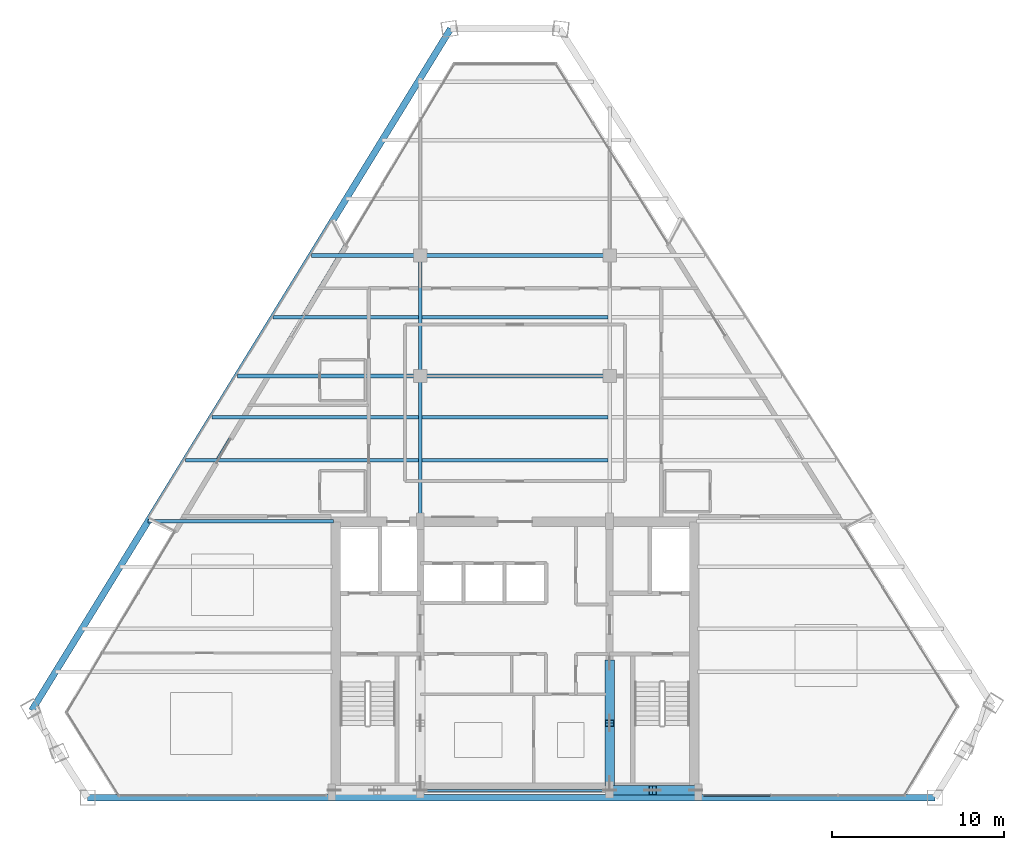
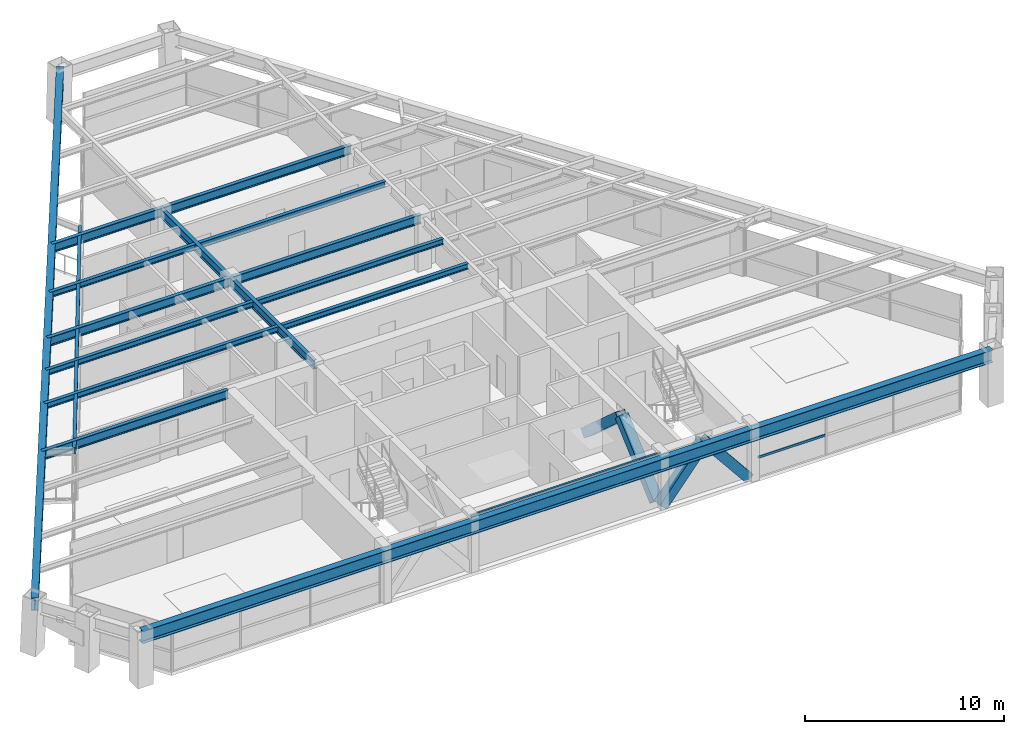
# One storey, part 3 of 12: 17 beams, 5 members, 1 element without a shape of its own.
"""IFC4 building model written with IfcOpenShell, lengths in metres."""

from ifc_helpers import new_model, si_unit, direction, frame, origin, origin_2d, place, context, subcontext, project, spatial, rectangle, hollow_rectangle, i_section, extrude, source, transform, mapped, material, material_profile, profile_set, type_object, type_shapes, element, aggregate, save


model = new_model("IFC4")

# Units and contexts
model_context = context("Model", 3, precision=1e-05, world=origin(), true_north=direction((0.0, 1.0)))
body_context = subcontext(model_context, "Body", "Model", "MODEL_VIEW")
ifc_project = project(units=[si_unit("LENGTHUNIT", "METRE"), si_unit("AREAUNIT", "SQUARE_METRE"), si_unit("VOLUMEUNIT", "CUBIC_METRE"), si_unit("PLANEANGLEUNIT", "RADIAN"), si_unit("MASSUNIT", "GRAM", prefix="KILO")], contexts=[model_context])

# Site, building, storey
site_placement = place(None, origin())
site = spatial("IfcSite", under=ifc_project, at=site_placement, CompositionType="ELEMENT")
building_placement = place(site_placement, origin())
building = spatial("IfcBuilding", under=site, at=building_placement, Name="Varnakhor Terracotta Tower", CompositionType="ELEMENT")
storey_placement = place(building_placement, frame((0.0, 0.0, 223.449951171875)))
storey = spatial("IfcBuildingStorey", under=building, at=storey_placement, Name="L57", CompositionType="ELEMENT", Elevation=223.449951171875)

# Beams
ifc_material_1 = material(Name="Steel S355", Category="steel")
ifc_material_profile_1 = material_profile(ifc_material_1, i_section(OverallWidth=0.1201171875, OverallDepth=0.239990234375, WebThickness=0.006103515625, FlangeThickness=0.009765625, FilletRadius=0.01806640625, at=origin_2d()), Name="IPE240")
ifc_profile_set_1 = profile_set([ifc_material_profile_1], Name="Steel S355")
beam_type_1 = type_object("IfcBeamType", Name="LNT-IPE240", PredefinedType="LINTEL", material=ifc_profile_set_1)
shared_shape_1 = source(origin(), body_context, "Body", "SweptSolid", [
    extrude(i_section(OverallWidth=0.1201171875, OverallDepth=0.239990234375, WebThickness=0.006103515625, FlangeThickness=0.009765625, FilletRadius=0.01806640625, at=origin_2d()), origin(), (0.0, 0.0, 1.0), 11.0),
])
type_shapes(beam_type_1, [shared_shape_1])
beam_1_placement = place(storey_placement, frame((-5.5, 0.419921875, 3.1201171875), z_axis=(1.0, 0.0, 0.0), x_axis=(0.0, 1.0, 0.0)))
element("IfcBeam", 1, at=beam_1_placement, inside=storey, type_object=beam_type_1, Name="L57 Core South Coupling Lintel", PredefinedType="LINTEL", context=body_context, shape_type="MappedRepresentation", body=[
    mapped(shared_shape_1, transform((0.0, 0.0, 0.0), scale=1.0)),
])
ifc_material_profile_2 = material_profile(ifc_material_1, i_section(OverallWidth=0.214111328125, OverallDepth=0.549072265625, WebThickness=0.014892578125, FlangeThickness=0.02392578125, FilletRadius=0.01806640625, at=origin_2d()), Name="W21X93")
ifc_profile_set_2 = profile_set([ifc_material_profile_2], Name="Steel S355")
beam_type_2 = type_object("IfcBeamType", Name="BM-W21X93", PredefinedType="BEAM", material=ifc_profile_set_2)
shared_shape_2 = source(origin(), body_context, "Body", "SweptSolid", [
    extrude(i_section(OverallWidth=0.214111328125, OverallDepth=0.549072265625, WebThickness=0.014892578125, FlangeThickness=0.02392578125, FilletRadius=0.01806640625, at=origin_2d()), origin(), (0.0, 0.0, 1.0), 8.449951171875),
])
type_shapes(beam_type_2, [shared_shape_2])
beam_2_placement = place(storey_placement, frame((-5.5, 16.050048828125, 2.965576171875), z_axis=(0.0, 1.0, 0.0), x_axis=(-1.0, 0.0, 0.0)))
element("IfcBeam", 2, at=beam_2_placement, inside=storey, type_object=beam_type_2, Name="L57 Primary Girder NS1-W", PredefinedType="BEAM", context=body_context, shape_type="MappedRepresentation", body=[
    mapped(shared_shape_2, transform((0.0, 0.0, 0.0), scale=1.0)),
])
shared_shape_3 = source(origin(), body_context, "Body", "SweptSolid", [
    extrude(i_section(OverallWidth=0.214111328125, OverallDepth=0.549072265625, WebThickness=0.014892578125, FlangeThickness=0.02392578125, FilletRadius=0.01806640625, at=origin_2d()), origin(), (0.0, 0.0, 1.0), 7.0),
])
beam_3_placement = place(storey_placement, frame((-5.5, 24.5, 2.965576171875), z_axis=(0.0, 1.0, 0.0), x_axis=(-1.0, 0.0, 0.0)))
element("IfcBeam", 3, at=beam_3_placement, inside=storey, type_object=beam_type_2, Name="L57 Primary Girder NS2-W", PredefinedType="BEAM", context=body_context, shape_type="MappedRepresentation", body=[
    mapped(shared_shape_3, transform((0.0, 0.0, 0.0), scale=1.0)),
])
shared_shape_4 = source(origin(), body_context, "Body", "SweptSolid", [
    extrude(i_section(OverallWidth=0.214111328125, OverallDepth=0.549072265625, WebThickness=0.014892578125, FlangeThickness=0.02392578125, FilletRadius=0.01806640625, at=origin_2d()), origin(), (0.0, 0.0, 1.0), 11.0),
])
for number, where, z_axis, x_axis, name in (
    (4, (-5.5, 24.5, 2.965576171875), (1.0, 0.0, 0.0), (0.0, 1.0, 0.0), "L57 Primary Girder EW2-2"),
    (5, (-5.5, 31.5, 2.965576171875), (1.0, 0.0, 0.0), (0.0, 1.0, 0.0), "L57 Primary Girder EW3-2"),
):
    element("IfcBeam", number, at=place(storey_placement, frame(where, z_axis=z_axis, x_axis=x_axis)), inside=storey, type_object=beam_type_2, Name=name, PredefinedType="BEAM", context=body_context, shape_type="MappedRepresentation", body=[
        mapped(shared_shape_4, transform((0.0, 0.0, 0.0), scale=1.0)),
    ])
ifc_material_profile_3 = material_profile(ifc_material_1, i_section(OverallWidth=0.202880859375, OverallDepth=0.346923828125, WebThickness=0.0078125, FlangeThickness=0.013427734375, FilletRadius=0.01806640625, at=origin_2d()), Name="W14X43")
ifc_profile_set_3 = profile_set([ifc_material_profile_3], Name="Steel S355")
beam_type_3 = type_object("IfcBeamType", Name="JST-W14X43", PredefinedType="JOIST", material=ifc_profile_set_3)
shared_shape_5 = source(origin(), body_context, "Body", "SweptSolid", [
    extrude(i_section(OverallWidth=0.202880859375, OverallDepth=0.346923828125, WebThickness=0.0078125, FlangeThickness=0.013427734375, FilletRadius=0.01806640625, at=origin_2d()), origin(), (0.0, 0.0, 1.0), 10.7939453125),
])
for number, where, z_axis, x_axis, name in (
    (6, (-5.39697265625, 19.60009765625, 3.066650390625), (1.0, 0.0, 0.0), (0.0, 1.0, 0.0), "L57 Composite Floor Joist 4-2"),
    (7, (-5.39697265625, 22.10009765625, 3.066650390625), (1.0, 0.0, 0.0), (0.0, 1.0, 0.0), "L57 Composite Floor Joist 5-2"),
    (8, (-5.39697265625, 27.89990234375, 3.066650390625), (1.0, 0.0, 0.0), (0.0, 1.0, 0.0), "L57 Composite Floor Joist 6-2"),
):
    element("IfcBeam", number, at=place(storey_placement, frame(where, z_axis=z_axis, x_axis=x_axis)), inside=storey, type_object=beam_type_3, Name=name, PredefinedType="JOIST", context=body_context, shape_type="MappedRepresentation", body=[
        mapped(shared_shape_5, transform((0.0, 0.0, 0.0), scale=1.0)),
    ])

# Members
ifc_material_profile_4 = material_profile(ifc_material_1, hollow_rectangle(XDim=0.550048828125, YDim=0.550048828125, WallThickness=0.034912109375, at=origin_2d()), Name="HSS550X550X35")
ifc_profile_set_4 = profile_set([ifc_material_profile_4], Name="Steel S355")
member_type_1 = type_object("IfcMemberType", Name="MBR-MEGA-550", PredefinedType="BRACE", material=ifc_profile_set_4)
shared_shape_6 = source(origin(), body_context, "Body", "SweptSolid", [
    extrude(hollow_rectangle(XDim=0.550048828125, YDim=0.550048828125, WallThickness=0.034912109375, at=origin_2d()), origin(), (0.0, 0.0, 1.0), 3.974853515625),
])
for number, where, z_axis, x_axis, name in (
    (9, (5.5, 0.419921875, 0.0), (0.628970263838, 0.0, 0.777429358339), (0.0, 1.0, 0.0), "L57 Core Coupled Brace CSEA"),
    (10, (10.5, 0.419921875, 0.0), (-0.628970263838, 0.0, 0.777429358339), (0.0, -1.0, 0.0), "L57 Core Coupled Brace CSEB"),
):
    element("IfcMember", number, at=place(storey_placement, frame(where, z_axis=z_axis, x_axis=x_axis)), inside=storey, type_object=member_type_1, Name=name, PredefinedType="BRACE", context=body_context, shape_type="MappedRepresentation", body=[
        mapped(shared_shape_6, transform((0.0, 0.0, 0.0), scale=1.0)),
    ])
shared_shape_7 = source(origin(), body_context, "Body", "SweptSolid", [
    extrude(hollow_rectangle(XDim=0.550048828125, YDim=0.550048828125, WallThickness=0.034912109375, at=origin_2d()), origin(), (0.0, 0.0, 1.0), 4.650146484375),
])
for number, where, z_axis, x_axis, name in (
    (11, (5.5, 0.85009765625, 0.0), (0.0, 0.74726736397, 0.664523503532), (-1.0, 0.0, 0.0), "L57 Core Coupled Brace CWEA"),
    (12, (5.5, 7.800048828125, 0.0), (0.0, -0.74729054724, 0.664497432655), (1.0, 0.0, 0.0), "L57 Core Coupled Brace CWEB"),
):
    element("IfcMember", number, at=place(storey_placement, frame(where, z_axis=z_axis, x_axis=x_axis)), inside=storey, type_object=member_type_1, Name=name, PredefinedType="BRACE", context=body_context, shape_type="MappedRepresentation", body=[
        mapped(shared_shape_7, transform((0.0, 0.0, 0.0), scale=1.0)),
    ])

# Beams
ifc_material_profile_5 = material_profile(ifc_material_1, i_section(OverallWidth=0.381103515625, OverallDepth=0.77294921875, WebThickness=0.01708984375, FlangeThickness=0.027099609375, FilletRadius=0.01806640625, at=origin_2d()), Name="W30X173")
ifc_profile_set_5 = profile_set([ifc_material_profile_5], Name="Steel S355")
beam_type_4 = type_object("IfcBeamType", Name="BM-W30X173", PredefinedType="BEAM", material=ifc_profile_set_5)
shared_shape_8 = source(origin(), body_context, "Body", "SweptSolid", [
    extrude(i_section(OverallWidth=0.381103515625, OverallDepth=0.77294921875, WebThickness=0.01708984375, FlangeThickness=0.027099609375, FilletRadius=0.01806640625, at=origin_2d()), origin(), (0.0, 0.0, 1.0), 49.253662109375),
])
beam_4_placement = place(storey_placement, frame((-24.8447265625, 0.0, 2.853515625), z_axis=(1.0, 0.0, 0.0), x_axis=(0.0, 1.0, 0.0)))
element("IfcBeam", 13, at=beam_4_placement, inside=storey, type_object=beam_type_4, Name="L57 Perimeter Spandrel 1", PredefinedType="BEAM", context=body_context, shape_type="MappedRepresentation", body=[
    mapped(shared_shape_8, transform((0.0, 0.0, 0.0), scale=1.0)),
])
shared_shape_9 = source(origin(), body_context, "Body", "SweptSolid", [
    extrude(i_section(OverallWidth=0.381103515625, OverallDepth=0.77294921875, WebThickness=0.01708984375, FlangeThickness=0.027099609375, FilletRadius=0.01806640625, at=origin_2d()), origin(), (0.0, 0.0, 1.0), 46.502685546875),
])
beam_5_placement = place(storey_placement, frame((-3.738525390625, 44.678955078125, 2.853515625), z_axis=(-0.52352874981, -0.852008009424, 0.0), x_axis=(0.852008009424, -0.52352874981, 0.0)))
element("IfcBeam", 14, at=beam_5_placement, inside=storey, type_object=beam_type_4, Name="L57 Perimeter Spandrel 6", PredefinedType="BEAM", context=body_context, shape_type="MappedRepresentation", body=[
    mapped(shared_shape_9, transform((0.0, 0.0, 0.0), scale=1.0)),
])
ifc_material_profile_6 = material_profile(ifc_material_1, i_section(OverallWidth=0.179931640625, OverallDepth=0.39990234375, WebThickness=0.008544921875, FlangeThickness=0.013427734375, FilletRadius=0.01806640625, at=origin_2d()), Name="IPE400")
ifc_profile_set_6 = profile_set([ifc_material_profile_6], Name="Steel S355")
beam_type_5 = type_object("IfcBeamType", Name="JST-IPE400", PredefinedType="JOIST", material=ifc_profile_set_6)
shared_shape_10 = source(origin(), body_context, "Body", "SweptSolid", [
    extrude(i_section(OverallWidth=0.179931640625, OverallDepth=0.39990234375, WebThickness=0.008544921875, FlangeThickness=0.013427734375, FilletRadius=0.01806640625, at=origin_2d()), origin(), (0.0, 0.0, 1.0), 19.416748046875),
])
beam_6_placement = place(storey_placement, frame((-9.841552734375, 32.1328125, 3.0400390625), z_axis=(-0.511962137883, -0.859008014733, 0.0), x_axis=(0.859008014733, -0.511962137883, 0.0)))
element("IfcBeam", 15, at=beam_6_placement, inside=storey, type_object=beam_type_5, Name="L57 Loggia Edge Beam 2", PredefinedType="JOIST", context=body_context, shape_type="MappedRepresentation", body=[
    mapped(shared_shape_10, transform((0.0, 0.0, 0.0), scale=1.0)),
])
shared_shape_11 = source(origin(), body_context, "Body", "SweptSolid", [
    extrude(i_section(OverallWidth=0.214111328125, OverallDepth=0.549072265625, WebThickness=0.014892578125, FlangeThickness=0.02392578125, FilletRadius=0.01806640625, at=origin_2d()), origin(), (0.0, 0.0, 1.0), 10.780029296875),
])
beam_7_placement = place(storey_placement, frame((-21.330078125, 16.050048828125, 2.965576171875), z_axis=(1.0, 0.0, 0.0), x_axis=(0.0, 1.0, 0.0)))
element("IfcBeam", 16, at=beam_7_placement, inside=storey, type_object=beam_type_2, Name="L57 Wing Girder W", PredefinedType="BEAM", context=body_context, shape_type="MappedRepresentation", body=[
    mapped(shared_shape_11, transform((0.0, 0.0, 0.0), scale=1.0)),
])
shared_shape_12 = source(origin(), body_context, "Body", "SweptSolid", [
    extrude(i_section(OverallWidth=0.214111328125, OverallDepth=0.549072265625, WebThickness=0.014892578125, FlangeThickness=0.02392578125, FilletRadius=0.01806640625, at=origin_2d()), origin(), (0.0, 0.0, 1.0), 10.637939453125),
])
beam_8_placement = place(storey_placement, frame((-16.137939453125, 24.5, 2.965576171875), z_axis=(1.0, 0.0, 0.0), x_axis=(0.0, 1.0, 0.0)))
element("IfcBeam", 17, at=beam_8_placement, inside=storey, type_object=beam_type_2, Name="L57 Primary Girder EW2-1", PredefinedType="BEAM", context=body_context, shape_type="MappedRepresentation", body=[
    mapped(shared_shape_12, transform((0.0, 0.0, 0.0), scale=1.0)),
])
shared_shape_13 = source(origin(), body_context, "Body", "SweptSolid", [
    extrude(i_section(OverallWidth=0.214111328125, OverallDepth=0.549072265625, WebThickness=0.014892578125, FlangeThickness=0.02392578125, FilletRadius=0.01806640625, at=origin_2d()), origin(), (0.0, 0.0, 1.0), 6.336669921875),
])
beam_9_placement = place(storey_placement, frame((-11.836669921875, 31.5, 2.965576171875), z_axis=(1.0, 0.0, 0.0), x_axis=(0.0, 1.0, 0.0)))
element("IfcBeam", 18, at=beam_9_placement, inside=storey, type_object=beam_type_2, Name="L57 Primary Girder EW3-1", PredefinedType="BEAM", context=body_context, shape_type="MappedRepresentation", body=[
    mapped(shared_shape_13, transform((0.0, 0.0, 0.0), scale=1.0)),
])
shared_shape_14 = source(origin(), body_context, "Body", "SweptSolid", [
    extrude(i_section(OverallWidth=0.202880859375, OverallDepth=0.346923828125, WebThickness=0.0078125, FlangeThickness=0.013427734375, FilletRadius=0.01806640625, at=origin_2d()), origin(), (0.0, 0.0, 1.0), 13.545654296875),
])
beam_10_placement = place(storey_placement, frame((-19.148681640625, 19.60009765625, 3.066650390625), z_axis=(1.0, 0.0, 0.0), x_axis=(0.0, 1.0, 0.0)))
element("IfcBeam", 19, at=beam_10_placement, inside=storey, type_object=beam_type_3, Name="L57 Composite Floor Joist 4-1", PredefinedType="JOIST", context=body_context, shape_type="MappedRepresentation", body=[
    mapped(shared_shape_14, transform((0.0, 0.0, 0.0), scale=1.0)),
])
shared_shape_15 = source(origin(), body_context, "Body", "SweptSolid", [
    extrude(i_section(OverallWidth=0.202880859375, OverallDepth=0.346923828125, WebThickness=0.0078125, FlangeThickness=0.013427734375, FilletRadius=0.01806640625, at=origin_2d()), origin(), (0.0, 0.0, 1.0), 12.009521484375),
])
beam_11_placement = place(storey_placement, frame((-17.612548828125, 22.10009765625, 3.066650390625), z_axis=(1.0, 0.0, 0.0), x_axis=(0.0, 1.0, 0.0)))
element("IfcBeam", 20, at=beam_11_placement, inside=storey, type_object=beam_type_3, Name="L57 Composite Floor Joist 5-1", PredefinedType="JOIST", context=body_context, shape_type="MappedRepresentation", body=[
    mapped(shared_shape_15, transform((0.0, 0.0, 0.0), scale=1.0)),
])
shared_shape_16 = source(origin(), body_context, "Body", "SweptSolid", [
    extrude(i_section(OverallWidth=0.202880859375, OverallDepth=0.346923828125, WebThickness=0.0078125, FlangeThickness=0.013427734375, FilletRadius=0.01806640625, at=origin_2d()), origin(), (0.0, 0.0, 1.0), 8.445556640625),
])
beam_12_placement = place(storey_placement, frame((-14.048583984375, 27.89990234375, 3.066650390625), z_axis=(1.0, 0.0, 0.0), x_axis=(0.0, 1.0, 0.0)))
element("IfcBeam", 21, at=beam_12_placement, inside=storey, type_object=beam_type_3, Name="L57 Composite Floor Joist 6-1", PredefinedType="JOIST", context=body_context, shape_type="MappedRepresentation", body=[
    mapped(shared_shape_16, transform((0.0, 0.0, 0.0), scale=1.0)),
])

# Curtain wall, member
ifc_material_2 = material(Name="Anodised Aluminium Curtain Wall System", Category="aluminium")
curtain_wall_type = type_object("IfcCurtainWallType", Name="CW-SYS-HOTEL-LOGGIA", PredefinedType="NOTDEFINED", material=ifc_material_2)
curtain_wall_placement = place(storey_placement, origin())
curtain_wall = element("IfcCurtainWall", 22, at=curtain_wall_placement, inside=storey, type_object=curtain_wall_type, Name="L57 South Wing Curtain Wall SSE", PredefinedType="NOTDEFINED")
ifc_material_3 = material(Name="Anodised Aluminium 6063-T6", Category="aluminium")
ifc_material_profile_7 = material_profile(ifc_material_3, rectangle(XDim=0.06494140625, YDim=0.14501953125, at=origin_2d()), Name="ALU TRANSOM 65x145")
ifc_profile_set_7 = profile_set([ifc_material_profile_7], Name="Anodised Aluminium 6063-T6")
member_type_2 = type_object("IfcMemberType", Name="CWT-04", PredefinedType="USERDEFINED", material=ifc_profile_set_7)
shared_shape_17 = source(origin(), body_context, "Body", "SweptSolid", [
    extrude(rectangle(XDim=0.06494140625, YDim=0.14501953125, at=origin_2d()), origin(), (0.0, 0.0, 1.0), 3.90234375),
])
member_placement = place(storey_placement, frame((14.872314453125, 0.1201171875, 1.1845703125), z_axis=(-1.0, 0.0, 0.0), x_axis=(0.0, -1.0, 0.0)))
member = element("IfcMember", 23, at=member_placement, type_object=member_type_2, Name="L57 South Wing Curtain Wall SSE Transom 3", ObjectType="TRANSOM", PredefinedType="USERDEFINED", context=body_context, shape_type="MappedRepresentation", body=[
    mapped(shared_shape_17, transform((0.0, 0.0, 0.0), scale=1.0)),
])
aggregate(curtain_wall, [member])

save(model, "model.ifc")
